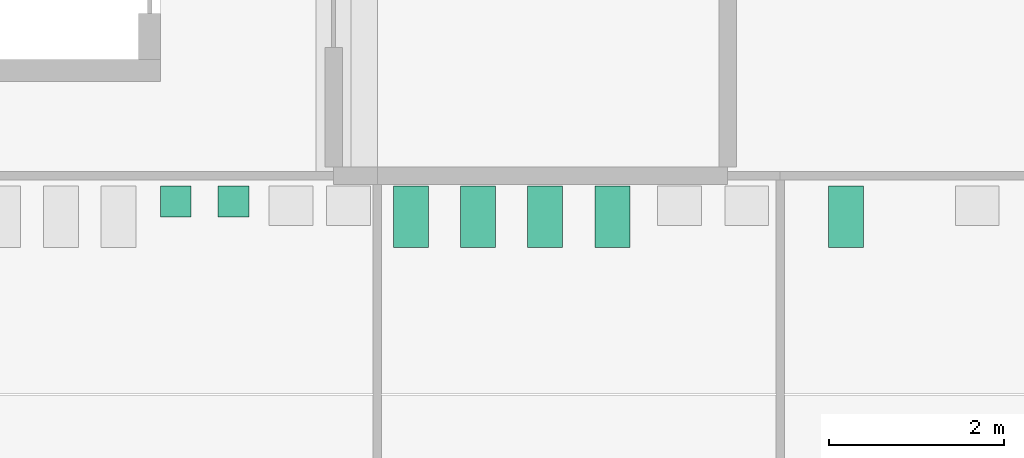
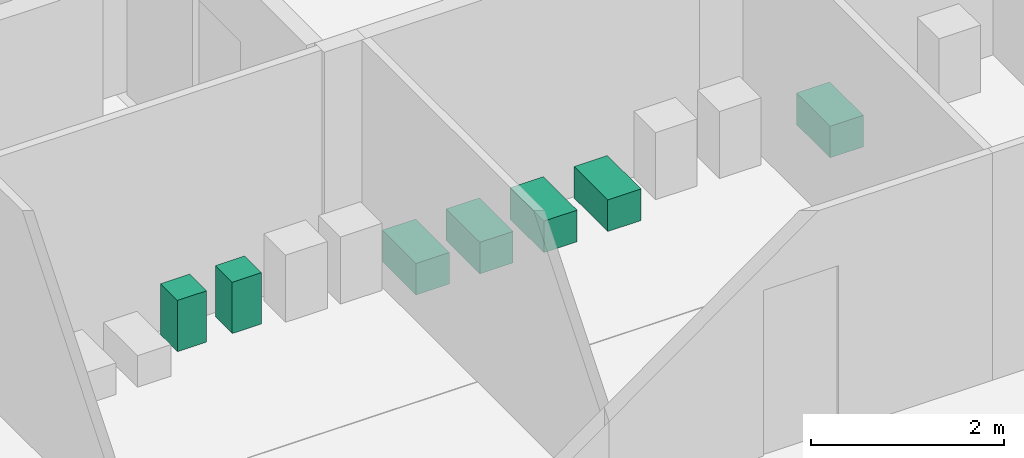
# One storey, part 56 of 57: 7 sanitary terminals.
"""IFC4 building model written with IfcOpenShell, lengths in metres."""

from ifc_helpers import new_model, si_unit, direction, frame, origin, origin_2d, place, context, subcontext, project, spatial, rectangle, extrude, material, type_object, element, save


model = new_model("IFC4")

# Units and contexts
model_context = context("Model", 3, precision=1e-05, world=origin(), true_north=direction((0.0, 1.0)))
body_context = subcontext(model_context, "Body", "Model", "MODEL_VIEW")
ifc_project = project(units=[si_unit("LENGTHUNIT", "METRE"), si_unit("AREAUNIT", "SQUARE_METRE"), si_unit("VOLUMEUNIT", "CUBIC_METRE"), si_unit("PLANEANGLEUNIT", "RADIAN"), si_unit("MASSUNIT", "GRAM", prefix="KILO")], contexts=[model_context])

# Site, building, storey
site_placement = place(None, origin())
site = spatial("IfcSite", under=ifc_project, at=site_placement, CompositionType="ELEMENT")
building_placement = place(site_placement, origin())
building = spatial("IfcBuilding", under=site, at=building_placement, Name="Cour d'Honneur Mobility Palace", CompositionType="ELEMENT")
storey_placement = place(building_placement, frame((0.0, 0.0, 8.199951171875)))
storey = spatial("IfcBuildingStorey", under=building, at=storey_placement, Name="L02", CompositionType="ELEMENT", Elevation=8.199951171875)

# Sanitary terminals
ifc_material_1 = material(Name="Vitreous china")
sanitary_terminal_type_1 = type_object("IfcSanitaryTerminalType", Name="Urinal", PredefinedType="URINAL", material=ifc_material_1)
for number, where, z_axis, x_axis, name in (
    (1, (4.5, 107.10498046875, 0.0), (0.0, 0.0, 1.0), (1.0, 0.0, 0.0), "Urinal WC Men West"),
    (2, (5.156982421875, 107.10498046875, 0.0), (0.0, 0.0, 1.0), (1.0, 0.0, 0.0), "Urinal WC Men West"),
):
    element("IfcSanitaryTerminal", number, at=place(storey_placement, frame(where, z_axis=z_axis, x_axis=x_axis)), inside=storey, type_object=sanitary_terminal_type_1, Name=name, PredefinedType="URINAL", context=body_context, shape_type="SweptSolid", body=[
        extrude(rectangle(XDim=0.35009765625, YDim=0.35009765625, at=origin_2d()), origin(), (0.0, 0.0, 1.0), 0.64990234375),
    ])
ifc_material_2 = material(Name="Vitreous china")
sanitary_terminal_type_2 = type_object("IfcSanitaryTerminalType", Name="Water closet", PredefinedType="WCSEAT", material=ifc_material_2)
for number, where, z_axis, x_axis, name in (
    (3, (7.183349609375, 106.929931640625, 0.0), (0.0, 0.0, 1.0), (1.0, 0.0, 0.0), "Water closet WC Women West"),
    (4, (7.949951171875, 106.929931640625, 0.0), (0.0, 0.0, 1.0), (1.0, 0.0, 0.0), "Water closet WC Women West"),
    (5, (8.716796875, 106.929931640625, 0.0), (0.0, 0.0, 1.0), (1.0, 0.0, 0.0), "Water closet WC Women West"),
    (6, (9.4833984375, 106.929931640625, 0.0), (0.0, 0.0, 1.0), (1.0, 0.0, 0.0), "Water closet WC Women West"),
    (7, (12.14990234375, 106.929931640625, 0.0), (0.0, 0.0, 1.0), (1.0, 0.0, 0.0), "Water closet Accessible WC West"),
):
    element("IfcSanitaryTerminal", number, at=place(storey_placement, frame(where, z_axis=z_axis, x_axis=x_axis)), inside=storey, type_object=sanitary_terminal_type_2, Name=name, PredefinedType="WCSEAT", context=body_context, shape_type="SweptSolid", body=[
        extrude(rectangle(XDim=0.39990234375, YDim=0.699951171875, at=origin_2d()), origin(), (0.0, 0.0, 1.0), 0.39990234375),
    ])

save(model, "model.ifc")
